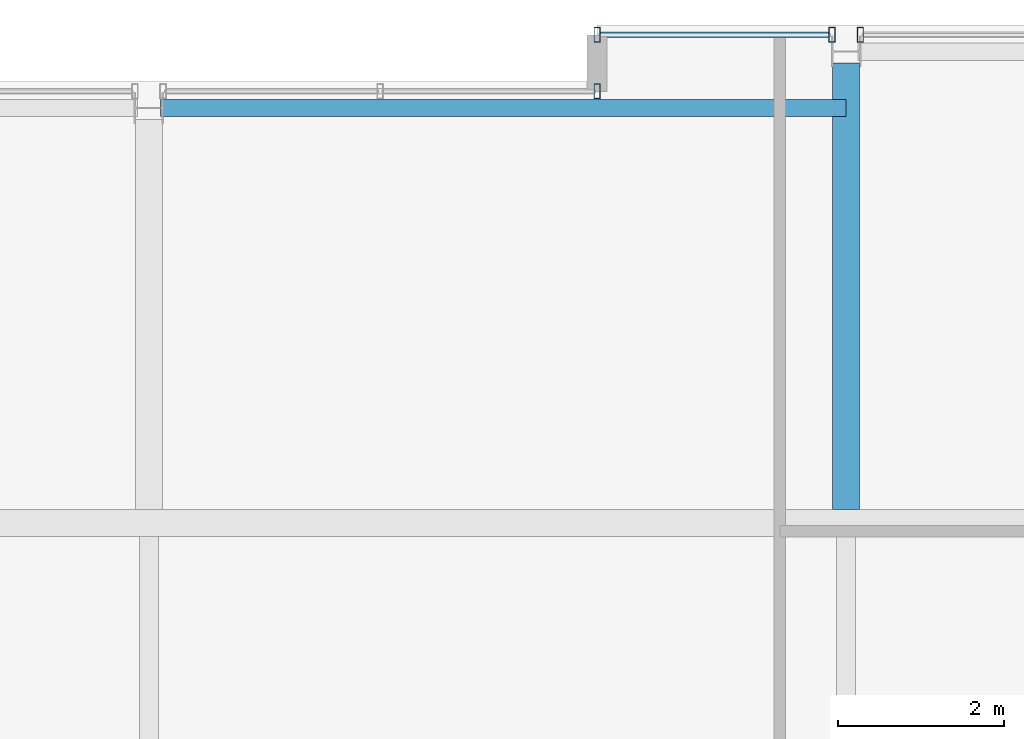
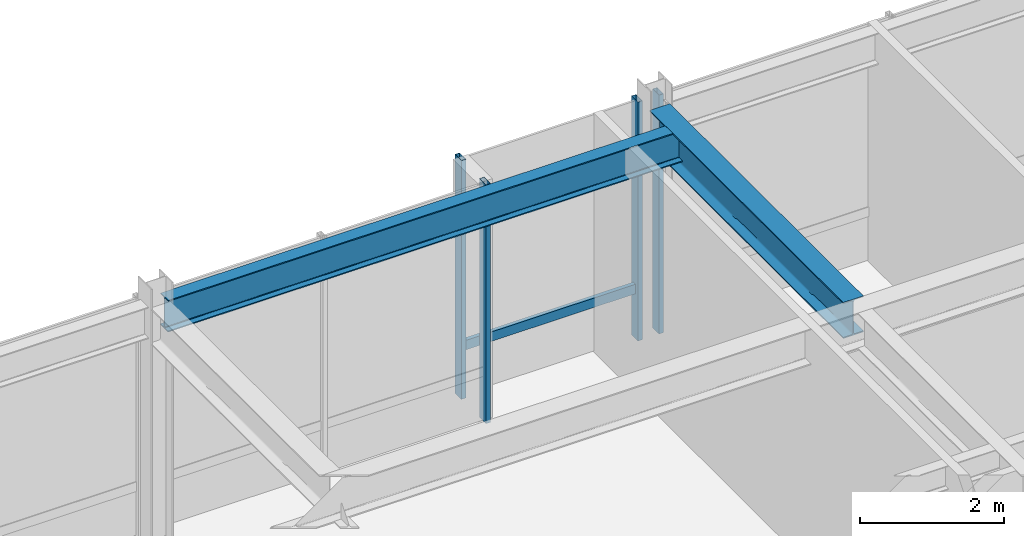
# One storey, part 25 of 33: 5 members, 2 beams, 3 elements without a shape of their own.
"""IFC4 building model written with IfcOpenShell, lengths in metres."""

from ifc_helpers import new_model, si_unit, direction, frame, origin, origin_2d, place, context, subcontext, project, spatial, hollow_rectangle, i_section, extrude, material, layer, layer_set, material_profile, profile_set, type_object, element, aggregate, save


model = new_model("IFC4")

# Units and contexts
model_context = context("Model", 3, precision=1e-05, world=origin(), true_north=direction((0.0, 1.0)))
body_context = subcontext(model_context, "Body", "Model", "MODEL_VIEW")
ifc_project = project(units=[si_unit("LENGTHUNIT", "METRE"), si_unit("AREAUNIT", "SQUARE_METRE"), si_unit("VOLUMEUNIT", "CUBIC_METRE"), si_unit("PLANEANGLEUNIT", "RADIAN"), si_unit("MASSUNIT", "GRAM", prefix="KILO")], contexts=[model_context])

# Site, building, storey
site_placement = place(None, origin())
site = spatial("IfcSite", under=ifc_project, at=site_placement, CompositionType="ELEMENT")
building_placement = place(site_placement, origin())
building = spatial("IfcBuilding", under=site, at=building_placement, Name="Drelvath Grand Hotel", CompositionType="ELEMENT")
storey_placement = place(building_placement, frame((0.0, 0.0, 298.60009765625)))
storey = spatial("IfcBuildingStorey", under=building, at=storey_placement, Name="L78", CompositionType="ELEMENT", Elevation=298.60009765625)

# Curtain wall, member
ifc_material_1 = material(Name="Platinum-Mist Anodised Aluminium Frame", Category="aluminium")
ifc_layer = layer(ifc_material_1, 0.199951171875)
ifc_layer_set = layer_set([ifc_layer], Name="Platinum-Mist Anodised Aluminium Frame")
curtain_wall_type = type_object("IfcCurtainWallType", Name="Stick Curtain Wall CW-05 Platinum Mist High-Rise", PredefinedType="NOTDEFINED", material=ifc_layer_set)
curtain_wall_1_placement = place(storey_placement, origin())
curtain_wall_1 = element("IfcCurtainWall", 1, at=curtain_wall_1_placement, inside=storey, type_object=curtain_wall_type, Name="L78 CW-05 Curtain Wall CW05-L78-NE1", PredefinedType="NOTDEFINED")
ifc_material_profile_1 = material_profile(ifc_material_1, hollow_rectangle(XDim=0.06494140625, YDim=0.159912109375, WallThickness=0.00390625, at=origin_2d()), Name="HSS160X65X4")
ifc_profile_set_1 = profile_set([ifc_material_profile_1], Name="Platinum-Mist Anodised Aluminium Frame")
member_type_1 = type_object("IfcMemberType", Name="Curtain Wall Horizontal Transom CW-05 HSS160X65X4", PredefinedType="USERDEFINED", material=ifc_profile_set_1)
member_1_placement = place(storey_placement, frame((5.43994140625, 49.080078125, 0.849853515625), z_axis=(1.0, 0.0, 0.0), x_axis=(0.0, 1.0, 0.0)))
member_1 = element("IfcMember", 2, at=member_1_placement, type_object=member_type_1, Name="CW05-L78-NE1 Sill Transom", ObjectType="TRANSOM", PredefinedType="USERDEFINED", context=body_context, shape_type="SweptSolid", body=[
    extrude(hollow_rectangle(XDim=0.06494140625, YDim=0.159912109375, WallThickness=0.00390625, at=origin_2d()), origin(), (0.0, 0.0, 1.0), 2.75),
])

curtain_wall_2_placement = place(storey_placement, origin())
curtain_wall_2 = element("IfcCurtainWall", 3, at=curtain_wall_2_placement, inside=storey, type_object=curtain_wall_type, Name="L78 CW-05 Curtain Wall CW05-L78-NM2", PredefinedType="NOTDEFINED")
ifc_material_profile_2 = material_profile(ifc_material_1, hollow_rectangle(XDim=0.074951171875, YDim=0.179931640625, WallThickness=0.0048828125, at=origin_2d()), Name="HSS180X75X5")
ifc_profile_set_2 = profile_set([ifc_material_profile_2], Name="Platinum-Mist Anodised Aluminium Frame")
member_type_2 = type_object("IfcMemberType", Name="Curtain Wall Vertical Mullion CW-05 HSS180X75X5", PredefinedType="MULLION", material=ifc_profile_set_2)
member_2_placement = place(storey_placement, frame((5.39990234375, 48.39990234375, 0.0), z_axis=(0.0, 0.0, 1.0), x_axis=(1.0, 0.0, 0.0)))
member_2 = element("IfcMember", 4, at=member_2_placement, type_object=member_type_2, Name="CW05-L78-NM2 Mullion 3", PredefinedType="MULLION", context=body_context, shape_type="SweptSolid", body=[
    extrude(hollow_rectangle(XDim=0.074951171875, YDim=0.179931640625, WallThickness=0.0048828125, at=origin_2d()), origin(), (0.0, 0.0, 1.0), 4.0498046875),
])
aggregate(curtain_wall_2, [member_2])

# Member
member_3_placement = place(storey_placement, frame((5.39990234375, 49.080078125, 0.0), z_axis=(0.0, 0.0, 1.0), x_axis=(1.0, 0.0, 0.0)))
member_3 = element("IfcMember", 5, at=member_3_placement, type_object=member_type_2, Name="CW05-L78-NE1 Mullion 1", PredefinedType="MULLION", context=body_context, shape_type="SweptSolid", body=[
    extrude(hollow_rectangle(XDim=0.074951171875, YDim=0.179931640625, WallThickness=0.0048828125, at=origin_2d()), origin(), (0.0, 0.0, 1.0), 4.0498046875),
])

member_4_placement = place(storey_placement, frame((8.22998046875, 49.080078125, 0.0), z_axis=(0.0, 0.0, 1.0), x_axis=(1.0, 0.0, 0.0)))
member_4 = element("IfcMember", 6, at=member_4_placement, type_object=member_type_2, Name="CW05-L78-NE1 Mullion 2", PredefinedType="MULLION", context=body_context, shape_type="SweptSolid", body=[
    extrude(hollow_rectangle(XDim=0.074951171875, YDim=0.179931640625, WallThickness=0.0048828125, at=origin_2d()), origin(), (0.0, 0.0, 1.0), 4.0498046875),
])

aggregate(curtain_wall_1, [member_3, member_4, member_1])

# Curtain wall, member
curtain_wall_3_placement = place(storey_placement, origin())
curtain_wall_3 = element("IfcCurtainWall", 7, at=curtain_wall_3_placement, inside=storey, type_object=curtain_wall_type, Name="L78 CW-05 Curtain Wall CW05-L78-NE2", PredefinedType="NOTDEFINED")
member_5_placement = place(storey_placement, frame((8.570068359375, 49.080078125, 0.0), z_axis=(0.0, 0.0, 1.0), x_axis=(1.0, 0.0, 0.0)))
member_5 = element("IfcMember", 8, at=member_5_placement, type_object=member_type_2, Name="CW05-L78-NE2 Mullion 1", PredefinedType="MULLION", context=body_context, shape_type="SweptSolid", body=[
    extrude(hollow_rectangle(XDim=0.074951171875, YDim=0.179931640625, WallThickness=0.0048828125, at=origin_2d()), origin(), (0.0, 0.0, 1.0), 4.0498046875),
])
aggregate(curtain_wall_3, [member_5])

# Beams
ifc_material_2 = material(Name="Steel ASTM A992 Gr 50", Category="steel")
ifc_material_profile_3 = material_profile(ifc_material_2, i_section(OverallWidth=0.210205078125, OverallDepth=0.53662109375, WebThickness=0.010986328125, FlangeThickness=0.017333984375, FilletRadius=0.01806640625, at=origin_2d()), Name="W21X68")
ifc_profile_set_3 = profile_set([ifc_material_profile_3], Name="Steel ASTM A992 Gr 50")
beam_type_1 = type_object("IfcBeamType", Name="Perimeter Spandrel Beam W21X68", PredefinedType="SPANDREL", material=ifc_profile_set_3)
beam_1_placement = place(storey_placement, frame((0.139892578125, 48.199951171875, 3.781494140625), z_axis=(1.0, 0.0, 0.0), x_axis=(0.0, 1.0, 0.0)))
element("IfcBeam", 9, at=beam_1_placement, inside=storey, type_object=beam_type_1, Name="L78 Spandrel North Mid E", PredefinedType="SPANDREL", context=body_context, shape_type="SweptSolid", body=[
    extrude(i_section(OverallWidth=0.210205078125, OverallDepth=0.53662109375, WebThickness=0.010986328125, FlangeThickness=0.017333984375, FilletRadius=0.01806640625, at=origin_2d()), origin(), (0.0, 0.0, 1.0), 8.260009765625),
])
ifc_material_profile_4 = material_profile(ifc_material_2, i_section(OverallWidth=0.323974609375, OverallDepth=0.611083984375, WebThickness=0.0126953125, FlangeThickness=0.01904296875, FilletRadius=0.02197265625, at=origin_2d()), Name="W24X104")
ifc_profile_set_4 = profile_set([ifc_material_profile_4], Name="Steel ASTM A992 Gr 50")
beam_type_2 = type_object("IfcBeamType", Name="Primary Floor Girder W24X104", PredefinedType="BEAM", material=ifc_profile_set_4)
beam_2_placement = place(storey_placement, frame((8.39990234375, 43.362060546875, 3.744384765625), z_axis=(0.0, 1.0, 0.0), x_axis=(-1.0, 0.0, 0.0)))
element("IfcBeam", 10, at=beam_2_placement, inside=storey, type_object=beam_type_2, Name="L78 North Wing Girder 6", PredefinedType="BEAM", context=body_context, shape_type="SweptSolid", body=[
    extrude(i_section(OverallWidth=0.323974609375, OverallDepth=0.611083984375, WebThickness=0.0126953125, FlangeThickness=0.01904296875, FilletRadius=0.02197265625, at=origin_2d()), origin(), (0.0, 0.0, 1.0), 5.3779296875),
])

save(model, "model.ifc")
